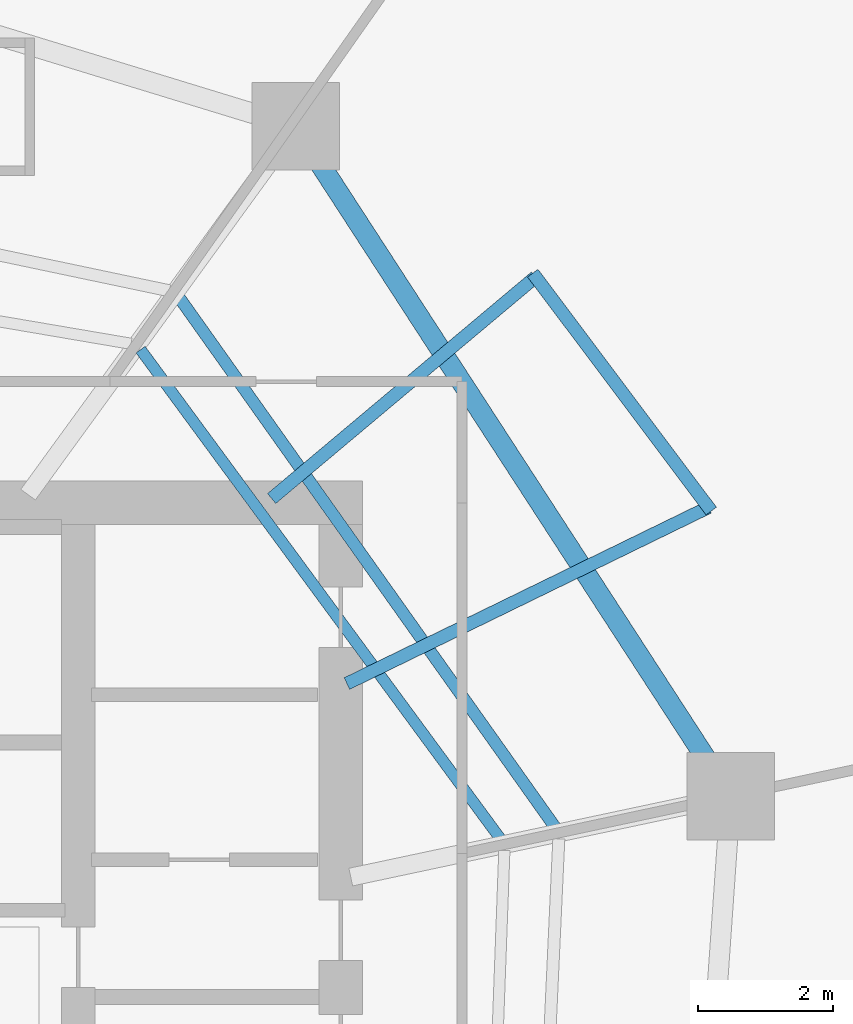
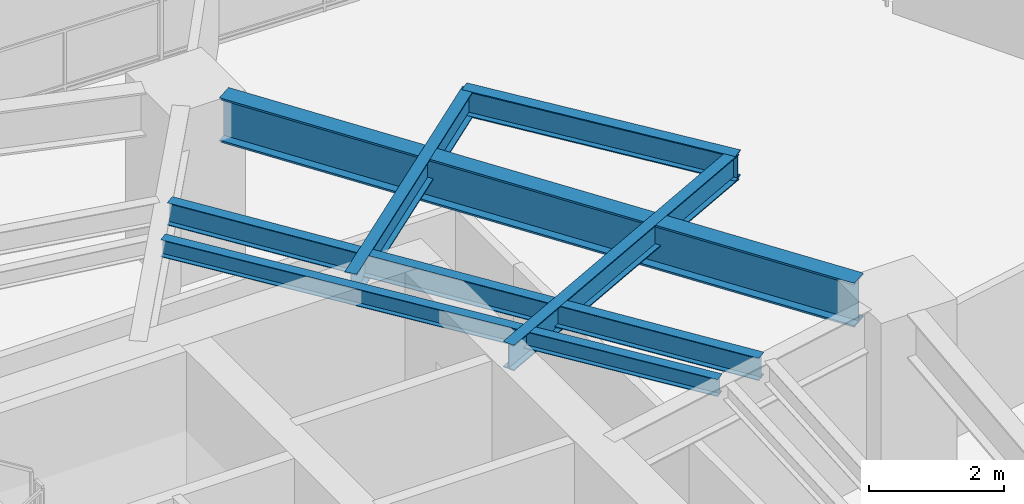
# One storey, part 21 of 30: 6 beams.
"""IFC4 building model written with IfcOpenShell, lengths in metres."""

from ifc_helpers import new_model, si_unit, direction, frame, origin, origin_2d, place, context, subcontext, project, spatial, i_section, extrude, material, material_profile, profile_set, type_object, element, save


model = new_model("IFC4")

# Units and contexts
model_context = context("Model", 3, precision=1e-05, world=origin(), true_north=direction((0.0, 1.0)))
body_context = subcontext(model_context, "Body", "Model", "MODEL_VIEW")
ifc_project = project(units=[si_unit("LENGTHUNIT", "METRE"), si_unit("AREAUNIT", "SQUARE_METRE"), si_unit("VOLUMEUNIT", "CUBIC_METRE"), si_unit("PLANEANGLEUNIT", "RADIAN"), si_unit("MASSUNIT", "GRAM", prefix="KILO")], contexts=[model_context])

# Site, building, storey
site_placement = place(None, origin())
site = spatial("IfcSite", under=ifc_project, at=site_placement, CompositionType="ELEMENT")
building_placement = place(site_placement, origin())
building = spatial("IfcBuilding", under=site, at=building_placement, Name="Qarnah Convention Tower", CompositionType="ELEMENT")
storey_placement = place(building_placement, frame((0.0, 0.0, 61.5)))
storey = spatial("IfcBuildingStorey", under=building, at=storey_placement, Name="L15", CompositionType="ELEMENT", Elevation=61.5)

# Beams
ifc_material = material(Name="Structural steel S355JR", Category="steel")
ifc_material_profile_1 = material_profile(ifc_material, i_section(OverallWidth=0.19189453125, OverallDepth=0.464111328125, WebThickness=0.010986328125, FlangeThickness=0.01806640625, at=origin_2d()), Name="W460X89")
ifc_profile_set_1 = profile_set([ifc_material_profile_1], Name="Structural steel S355JR")
beam_type_1 = type_object("IfcBeamType", Name="BM-CANT-W460A", PredefinedType="BEAM", material=ifc_profile_set_1)
beam_1_placement = place(storey_placement, frame((47.68994140625, 31.51611328125, 2.93798828125), z_axis=(0.898845814475, 0.438264990388, 0.0), x_axis=(-0.438264990388, 0.898845814475, 0.0)))
element("IfcBeam", 1, at=beam_1_placement, inside=storey, type_object=beam_type_1, Name="L15 beam BM-L15-CNT-01-1", PredefinedType="BEAM", context=body_context, shape_type="SweptSolid", body=[
    extrude(i_section(OverallWidth=0.19189453125, OverallDepth=0.464111328125, WebThickness=0.010986328125, FlangeThickness=0.01806640625, at=origin_2d()), origin(), (0.0, 0.0, 1.0), 5.973388671875),
])
beam_2_placement = place(storey_placement, frame((46.572021484375, 34.263916015625, 2.93798828125), z_axis=(0.765964185984, 0.64288324429, 0.0), x_axis=(-0.64288324429, 0.765964185984, 0.0)))
element("IfcBeam", 2, at=beam_2_placement, inside=storey, type_object=beam_type_1, Name="L15 beam BM-L15-CNT-01-2", PredefinedType="BEAM", context=body_context, shape_type="SweptSolid", body=[
    extrude(i_section(OverallWidth=0.19189453125, OverallDepth=0.464111328125, WebThickness=0.010986328125, FlangeThickness=0.01806640625, at=origin_2d()), origin(), (0.0, 0.0, 1.0), 5.11767578125),
])
beam_3_placement = place(storey_placement, frame((53.10107421875, 34.077880859375, 2.93798828125), z_axis=(-0.600282994859, 0.799787675626, 0.0), x_axis=(-0.799787675626, -0.600282994859, 0.0)))
element("IfcBeam", 3, at=beam_3_placement, inside=storey, type_object=beam_type_1, Name="L15 spandrel BM-L15-CTIE-01", PredefinedType="SPANDREL", context=body_context, shape_type="SweptSolid", body=[
    extrude(i_section(OverallWidth=0.19189453125, OverallDepth=0.464111328125, WebThickness=0.010986328125, FlangeThickness=0.01806640625, at=origin_2d()), origin(), (0.0, 0.0, 1.0), 4.41650390625),
])
ifc_material_profile_2 = material_profile(ifc_material, i_section(OverallWidth=0.166015625, OverallDepth=0.31201171875, WebThickness=0.007080078125, FlangeThickness=0.010986328125, at=origin_2d()), Name="W310X45")
ifc_profile_set_2 = profile_set([ifc_material_profile_2], Name="Structural steel S355JR")
beam_type_2 = type_object("IfcBeamType", Name="BM-JST-W310", PredefinedType="JOIST", material=ifc_profile_set_2)
beam_4_placement = place(storey_placement, frame((49.97802734375, 29.199951171875, 3.013916015625), z_axis=(-0.59258291675, 0.805509457906, 0.0), x_axis=(-0.805509457906, -0.59258291675, 0.0)))
element("IfcBeam", 4, at=beam_4_placement, inside=storey, type_object=beam_type_2, Name="L15 joist BM-L15-IJST-01", PredefinedType="JOIST", context=body_context, shape_type="SweptSolid", body=[
    extrude(i_section(OverallWidth=0.166015625, OverallDepth=0.31201171875, WebThickness=0.007080078125, FlangeThickness=0.010986328125, at=origin_2d()), origin(), (0.0, 0.0, 1.0), 9.03173828125),
])
ifc_material_profile_3 = material_profile(ifc_material, i_section(OverallWidth=0.177978515625, OverallDepth=0.407958984375, WebThickness=0.008056640625, FlangeThickness=0.012939453125, at=origin_2d()), Name="W410X60")
ifc_profile_set_3 = profile_set([ifc_material_profile_3], Name="Structural steel S355JR")
beam_type_3 = type_object("IfcBeamType", Name="BM-JST-W410", PredefinedType="JOIST", material=ifc_profile_set_3)
beam_5_placement = place(storey_placement, frame((50.7890625, 29.373046875, 2.966064453125), z_axis=(-0.578803887341, 0.815466774307, 0.0), x_axis=(-0.815466774307, -0.578803887341, 0.0)))
element("IfcBeam", 5, at=beam_5_placement, inside=storey, type_object=beam_type_3, Name="L15 joist BM-L15-SJST-01", PredefinedType="JOIST", context=body_context, shape_type="SweptSolid", body=[
    extrude(i_section(OverallWidth=0.177978515625, OverallDepth=0.407958984375, WebThickness=0.008056640625, FlangeThickness=0.012939453125, at=origin_2d()), origin(), (0.0, 0.0, 1.0), 9.668212890625),
])
ifc_material_profile_4 = material_profile(ifc_material, i_section(OverallWidth=0.300048828125, OverallDepth=0.800048828125, WebThickness=0.01806640625, FlangeThickness=0.032958984375, at=origin_2d()), Name="HEB800")
ifc_profile_set_4 = profile_set([ifc_material_profile_4], Name="Structural steel S355JR")
beam_type_4 = type_object("IfcBeamType", Name="BM-RING-HEB800", PredefinedType="BEAM", material=ifc_profile_set_4)
beam_6_placement = place(storey_placement, frame((53.0390625, 30.3779296875, 2.77001953125), z_axis=(-0.544579515688, 0.838709217246, 0.0), x_axis=(-0.838709217246, -0.544579515688, 0.0)))
element("IfcBeam", 6, at=beam_6_placement, inside=storey, type_object=beam_type_4, Name="L15 beam BM-L15-SPN-01", PredefinedType="BEAM", context=body_context, shape_type="SweptSolid", body=[
    extrude(i_section(OverallWidth=0.300048828125, OverallDepth=0.800048828125, WebThickness=0.01806640625, FlangeThickness=0.032958984375, at=origin_2d()), origin(), (0.0, 0.0, 1.0), 10.58056640625),
])

save(model, "model.ifc")
